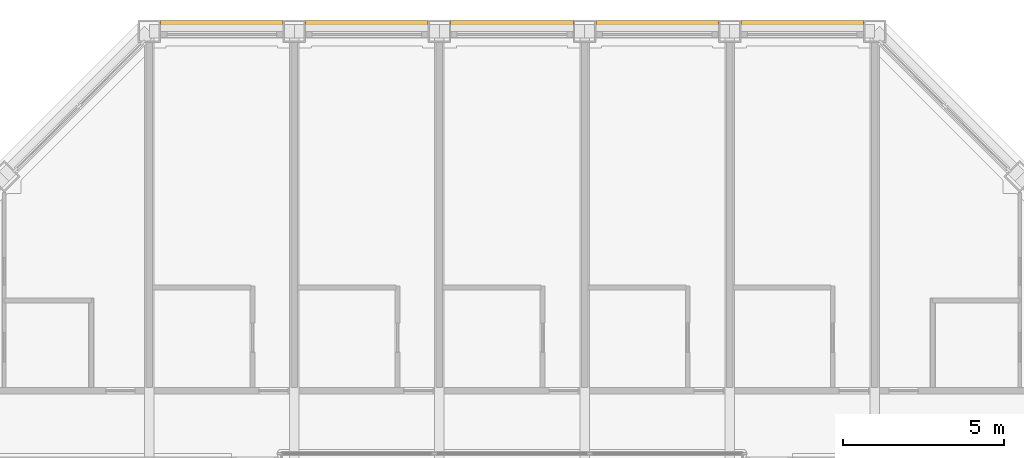
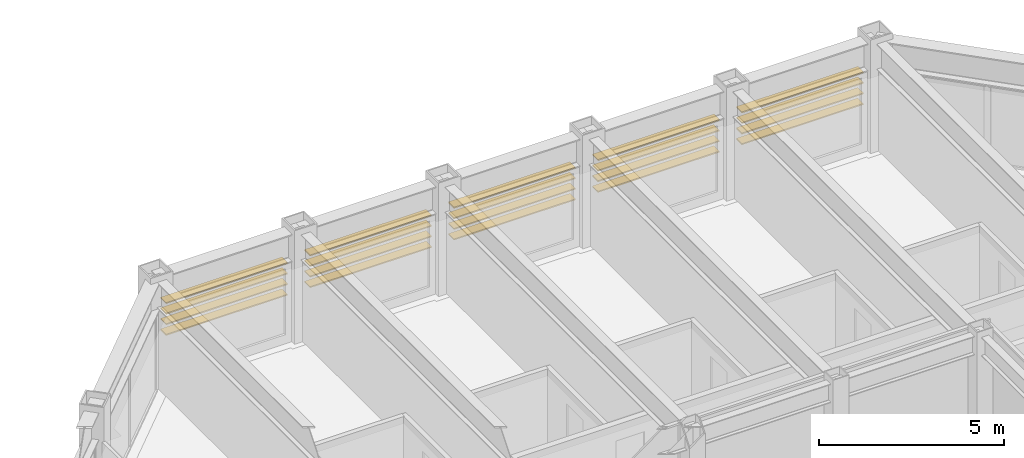
# One storey, part 18 of 18: 1 shading device.
"""IFC4 building model written with IfcOpenShell, lengths in metres."""

from ifc_helpers import new_model, si_unit, direction, frame, origin, origin_2d, place, context, subcontext, project, spatial, rectangle, extrude, material, type_object, element, save


model = new_model("IFC4")

# Units and contexts
model_context = context("Model", 3, precision=1e-05, world=origin(), true_north=direction((0.0, 1.0)))
body_context = subcontext(model_context, "Body", "Model", "MODEL_VIEW")
ifc_project = project(units=[si_unit("LENGTHUNIT", "METRE"), si_unit("AREAUNIT", "SQUARE_METRE"), si_unit("VOLUMEUNIT", "CUBIC_METRE"), si_unit("PLANEANGLEUNIT", "RADIAN"), si_unit("MASSUNIT", "GRAM", prefix="KILO")], contexts=[model_context])

# Site, building, storey
site_placement = place(None, origin())
site = spatial("IfcSite", under=ifc_project, at=site_placement, CompositionType="ELEMENT")
building_placement = place(site_placement, origin())
building = spatial("IfcBuilding", under=site, at=building_placement, Name="Msasa Ring Tower", CompositionType="ELEMENT")
storey_placement = place(building_placement, frame((0.0, 0.0, 208.300048828125)))
storey = spatial("IfcBuildingStorey", under=building, at=storey_placement, Name="L54", CompositionType="ELEMENT", Elevation=208.300048828125)

# Shading device
ifc_material = material(Name="Extruded terracotta blades", Category="masonry")
shading_device_type = type_object("IfcShadingDeviceType", Name="SS1 TERRACOTTA SUNSHADE 4 BLADES 300x40 AT 350", PredefinedType="USERDEFINED", material=ifc_material)
shading_device_placement = place(storey_placement, origin())
element("IfcShadingDevice", 1, at=shading_device_placement, inside=storey, type_object=shading_device_type, Name="Terracotta sunshade N L54", ObjectType="SUNSHADE", PredefinedType="USERDEFINED", context=body_context, shape_type="SweptSolid", body=[
    extrude(rectangle(XDim=0.0400390625, YDim=0.300048828125, at=origin_2d()), frame((-10.89990234375, 20.429931640625, 2.458984375), z_axis=(1.0, 0.0, 0.0), x_axis=(0.0, 0.0, 1.0)), (0.0, 0.0, 1.0), 3.800048828125),
    extrude(rectangle(XDim=0.0400390625, YDim=0.300048828125, at=origin_2d()), frame((-10.89990234375, 20.429931640625, 2.10888671875), z_axis=(1.0, 0.0, 0.0), x_axis=(0.0, 0.0, 1.0)), (0.0, 0.0, 1.0), 3.800048828125),
    extrude(rectangle(XDim=0.0400390625, YDim=0.300048828125, at=origin_2d()), frame((-10.89990234375, 20.429931640625, 1.759033203125), z_axis=(1.0, 0.0, 0.0), x_axis=(0.0, 0.0, 1.0)), (0.0, 0.0, 1.0), 3.800048828125),
    extrude(rectangle(XDim=0.0400390625, YDim=0.300048828125, at=origin_2d()), frame((-10.89990234375, 20.429931640625, 1.408935546875), z_axis=(1.0, 0.0, 0.0), x_axis=(0.0, 0.0, 1.0)), (0.0, 0.0, 1.0), 3.800048828125),
    extrude(rectangle(XDim=0.0400390625, YDim=0.300048828125, at=origin_2d()), frame((-6.39990234375, 20.429931640625, 2.458984375), z_axis=(1.0, 0.0, 0.0), x_axis=(0.0, 0.0, 1.0)), (0.0, 0.0, 1.0), 3.800048828125),
    extrude(rectangle(XDim=0.0400390625, YDim=0.300048828125, at=origin_2d()), frame((-6.39990234375, 20.429931640625, 2.10888671875), z_axis=(1.0, 0.0, 0.0), x_axis=(0.0, 0.0, 1.0)), (0.0, 0.0, 1.0), 3.800048828125),
    extrude(rectangle(XDim=0.0400390625, YDim=0.300048828125, at=origin_2d()), frame((-6.39990234375, 20.429931640625, 1.759033203125), z_axis=(1.0, 0.0, 0.0), x_axis=(0.0, 0.0, 1.0)), (0.0, 0.0, 1.0), 3.800048828125),
    extrude(rectangle(XDim=0.0400390625, YDim=0.300048828125, at=origin_2d()), frame((-6.39990234375, 20.429931640625, 1.408935546875), z_axis=(1.0, 0.0, 0.0), x_axis=(0.0, 0.0, 1.0)), (0.0, 0.0, 1.0), 3.800048828125),
    extrude(rectangle(XDim=0.0400390625, YDim=0.300048828125, at=origin_2d()), frame((-1.89990234375, 20.429931640625, 2.458984375), z_axis=(1.0, 0.0, 0.0), x_axis=(0.0, 0.0, 1.0)), (0.0, 0.0, 1.0), 3.800048828125),
    extrude(rectangle(XDim=0.0400390625, YDim=0.300048828125, at=origin_2d()), frame((-1.89990234375, 20.429931640625, 2.10888671875), z_axis=(1.0, 0.0, 0.0), x_axis=(0.0, 0.0, 1.0)), (0.0, 0.0, 1.0), 3.800048828125),
    extrude(rectangle(XDim=0.0400390625, YDim=0.300048828125, at=origin_2d()), frame((-1.89990234375, 20.429931640625, 1.759033203125), z_axis=(1.0, 0.0, 0.0), x_axis=(0.0, 0.0, 1.0)), (0.0, 0.0, 1.0), 3.800048828125),
    extrude(rectangle(XDim=0.0400390625, YDim=0.300048828125, at=origin_2d()), frame((-1.89990234375, 20.429931640625, 1.408935546875), z_axis=(1.0, 0.0, 0.0), x_axis=(0.0, 0.0, 1.0)), (0.0, 0.0, 1.0), 3.800048828125),
    extrude(rectangle(XDim=0.0400390625, YDim=0.300048828125, at=origin_2d()), frame((2.60009765625, 20.429931640625, 2.458984375), z_axis=(1.0, 0.0, 0.0), x_axis=(0.0, 0.0, 1.0)), (0.0, 0.0, 1.0), 3.800048828125),
    extrude(rectangle(XDim=0.0400390625, YDim=0.300048828125, at=origin_2d()), frame((2.60009765625, 20.429931640625, 2.10888671875), z_axis=(1.0, 0.0, 0.0), x_axis=(0.0, 0.0, 1.0)), (0.0, 0.0, 1.0), 3.800048828125),
    extrude(rectangle(XDim=0.0400390625, YDim=0.300048828125, at=origin_2d()), frame((2.60009765625, 20.429931640625, 1.759033203125), z_axis=(1.0, 0.0, 0.0), x_axis=(0.0, 0.0, 1.0)), (0.0, 0.0, 1.0), 3.800048828125),
    extrude(rectangle(XDim=0.0400390625, YDim=0.300048828125, at=origin_2d()), frame((2.60009765625, 20.429931640625, 1.408935546875), z_axis=(1.0, 0.0, 0.0), x_axis=(0.0, 0.0, 1.0)), (0.0, 0.0, 1.0), 3.800048828125),
    extrude(rectangle(XDim=0.0400390625, YDim=0.300048828125, at=origin_2d()), frame((7.10009765625, 20.429931640625, 2.458984375), z_axis=(1.0, 0.0, 0.0), x_axis=(0.0, 0.0, 1.0)), (0.0, 0.0, 1.0), 3.800048828125),
    extrude(rectangle(XDim=0.0400390625, YDim=0.300048828125, at=origin_2d()), frame((7.10009765625, 20.429931640625, 2.10888671875), z_axis=(1.0, 0.0, 0.0), x_axis=(0.0, 0.0, 1.0)), (0.0, 0.0, 1.0), 3.800048828125),
    extrude(rectangle(XDim=0.0400390625, YDim=0.300048828125, at=origin_2d()), frame((7.10009765625, 20.429931640625, 1.759033203125), z_axis=(1.0, 0.0, 0.0), x_axis=(0.0, 0.0, 1.0)), (0.0, 0.0, 1.0), 3.800048828125),
    extrude(rectangle(XDim=0.0400390625, YDim=0.300048828125, at=origin_2d()), frame((7.10009765625, 20.429931640625, 1.408935546875), z_axis=(1.0, 0.0, 0.0), x_axis=(0.0, 0.0, 1.0)), (0.0, 0.0, 1.0), 3.800048828125),
])

save(model, "model.ifc")
